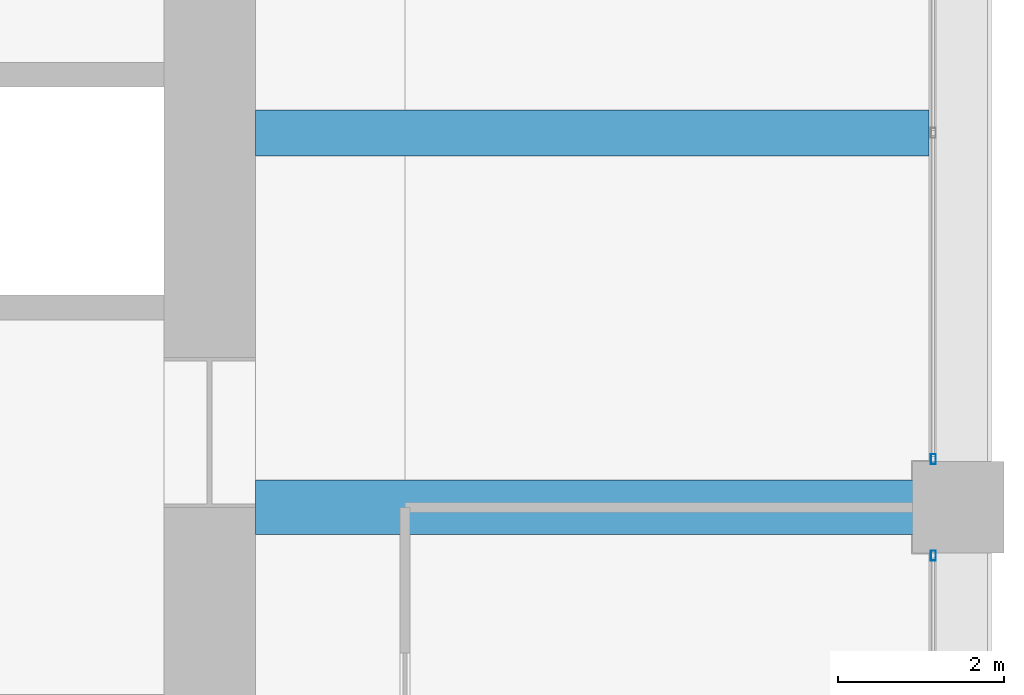
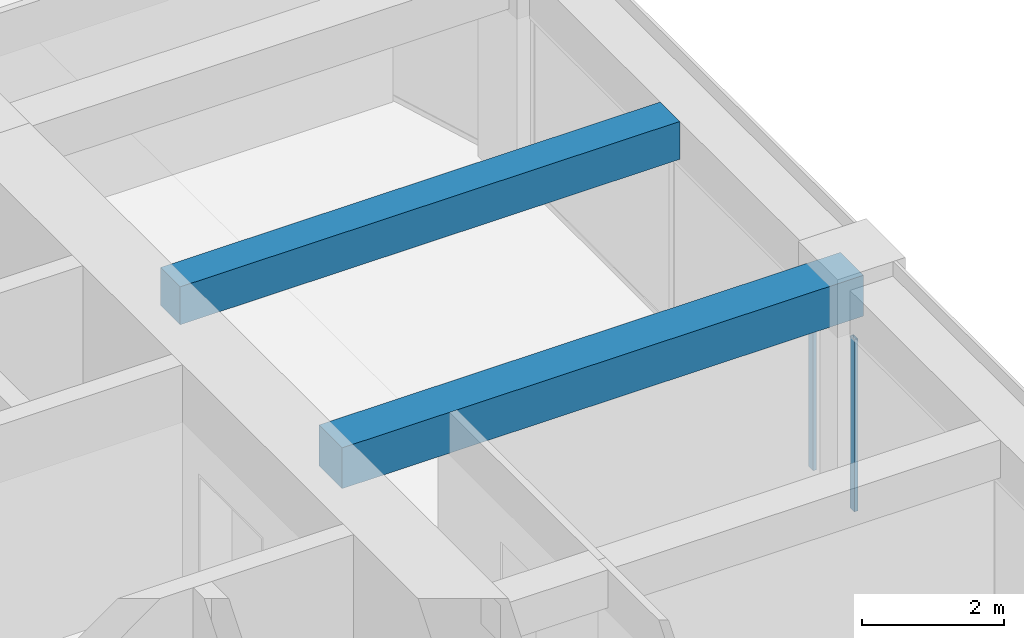
# One storey, part 26 of 44: 2 beams, 2 members, 2 elements without a shape of their own.
"""IFC4 building model written with IfcOpenShell, lengths in metres."""

from ifc_helpers import new_model, si_unit, direction, frame, origin, origin_2d, place, context, subcontext, project, spatial, rectangle, hollow_rectangle, extrude, material, material_profile, profile_set, type_object, element, aggregate, save


model = new_model("IFC4")

# Units and contexts
model_context = context("Model", 3, precision=1e-05, world=origin(), true_north=direction((0.0, 1.0)))
body_context = subcontext(model_context, "Body", "Model", "MODEL_VIEW")
ifc_project = project(units=[si_unit("LENGTHUNIT", "METRE"), si_unit("AREAUNIT", "SQUARE_METRE"), si_unit("VOLUMEUNIT", "CUBIC_METRE"), si_unit("PLANEANGLEUNIT", "RADIAN"), si_unit("MASSUNIT", "GRAM", prefix="KILO")], contexts=[model_context])

# Site, building, storey
site_placement = place(None, origin())
site = spatial("IfcSite", under=ifc_project, at=site_placement, CompositionType="ELEMENT")
building_placement = place(site_placement, origin())
building = spatial("IfcBuilding", under=site, at=building_placement, Name="Zorevar Civic Tower", CompositionType="ELEMENT")
storey_placement = place(building_placement, frame((0.0, 0.0, 267.39990234375)))
storey = spatial("IfcBuildingStorey", under=building, at=storey_placement, Name="L65", CompositionType="ELEMENT", Elevation=267.39990234375)

# Beams
ifc_material_1 = material(Name="Concrete C50/60", Category="concrete")
ifc_material_profile_1 = material_profile(ifc_material_1, rectangle(XDim=0.550048828125, YDim=0.64990234375, at=origin_2d()), Name="RC 550x650")
ifc_profile_set_1 = profile_set([ifc_material_profile_1], Name="Concrete C50/60")
beam_type_1 = type_object("IfcBeamType", Name="Beam RC 550x650", PredefinedType="BEAM", material=ifc_profile_set_1)
beam_1_placement = place(storey_placement, frame((45.550048828125, 31.5, 3.425048828125), z_axis=(1.0, 0.0, 0.0), x_axis=(0.0, 1.0, 0.0)))
element("IfcBeam", 1, at=beam_1_placement, inside=storey, type_object=beam_type_1, Name="Secondary beam L66", PredefinedType="BEAM", context=body_context, shape_type="SweptSolid", body=[
    extrude(rectangle(XDim=0.550048828125, YDim=0.64990234375, at=origin_2d()), origin(), (0.0, 0.0, 1.0), 8.099853515625),
])
ifc_material_2 = material(Name="Concrete C50/60", Category="concrete")
ifc_material_profile_2 = material_profile(ifc_material_2, rectangle(XDim=0.64990234375, YDim=0.699951171875, at=origin_2d()), Name="RC 650x700")
ifc_profile_set_2 = profile_set([ifc_material_profile_2], Name="Concrete C50/60")
beam_type_2 = type_object("IfcBeamType", Name="Beam RC 650x700", PredefinedType="BEAM", material=ifc_profile_set_2)
beam_2_placement = place(storey_placement, frame((45.550048828125, 27.0, 3.400146484375), z_axis=(1.0, 0.0, 0.0), x_axis=(0.0, 1.0, 0.0)))
element("IfcBeam", 2, at=beam_2_placement, inside=storey, type_object=beam_type_2, Name="Girder L66", PredefinedType="BEAM", context=body_context, shape_type="SweptSolid", body=[
    extrude(rectangle(XDim=0.64990234375, YDim=0.699951171875, at=origin_2d()), origin(), (0.0, 0.0, 1.0), 8.449951171875),
])

# Curtain wall, member
ifc_material_3 = material(Name="Dark grey solar-control glass in black aluminium frame", Category="aluminium")
curtain_wall_type = type_object("IfcCurtainWallType", Name="Curtain wall CW5 top zone", PredefinedType="NOTDEFINED", material=ifc_material_3)
curtain_wall_1_placement = place(storey_placement, origin())
curtain_wall_1 = element("IfcCurtainWall", 3, at=curtain_wall_1_placement, inside=storey, type_object=curtain_wall_type, Name="CW5 L65", PredefinedType="NOTDEFINED")
ifc_material_4 = material(Name="Aluminium, black anodised", Category="aluminium")
ifc_material_profile_3 = material_profile(ifc_material_4, hollow_rectangle(XDim=0.06005859375, YDim=0.1201171875, WallThickness=0.0029296875, at=origin_2d()), Name="AL 120x60x3")
ifc_profile_set_3 = profile_set([ifc_material_profile_3], Name="Aluminium, black anodised")
member_type = type_object("IfcMemberType", Name="CW5 mullion AL 120x60x3", PredefinedType="MULLION", material=ifc_profile_set_3)
member_1_placement = place(storey_placement, frame((53.699951171875, 26.419921875, 0.0), z_axis=(0.0, 0.0, 1.0), x_axis=(-1.0, 0.0, 0.0)))
member_1 = element("IfcMember", 4, at=member_1_placement, type_object=member_type, Name="CW5 mullion 3", PredefinedType="MULLION", context=body_context, shape_type="SweptSolid", body=[
    extrude(hollow_rectangle(XDim=0.06005859375, YDim=0.1201171875, WallThickness=0.0029296875, at=origin_2d()), origin(), (0.0, 0.0, 1.0), 2.9501953125),
])
aggregate(curtain_wall_1, [member_1])

curtain_wall_2_placement = place(storey_placement, origin())
curtain_wall_2 = element("IfcCurtainWall", 5, at=curtain_wall_2_placement, inside=storey, type_object=curtain_wall_type, Name="CW5 L65", PredefinedType="NOTDEFINED")
member_2_placement = place(storey_placement, frame((53.699951171875, 27.580078125, 0.0), z_axis=(0.0, 0.0, 1.0), x_axis=(-1.0, 0.0, 0.0)))
member_2 = element("IfcMember", 6, at=member_2_placement, type_object=member_type, Name="CW5 mullion 1", PredefinedType="MULLION", context=body_context, shape_type="SweptSolid", body=[
    extrude(hollow_rectangle(XDim=0.06005859375, YDim=0.1201171875, WallThickness=0.0029296875, at=origin_2d()), origin(), (0.0, 0.0, 1.0), 2.9501953125),
])
aggregate(curtain_wall_2, [member_2])

save(model, "model.ifc")
